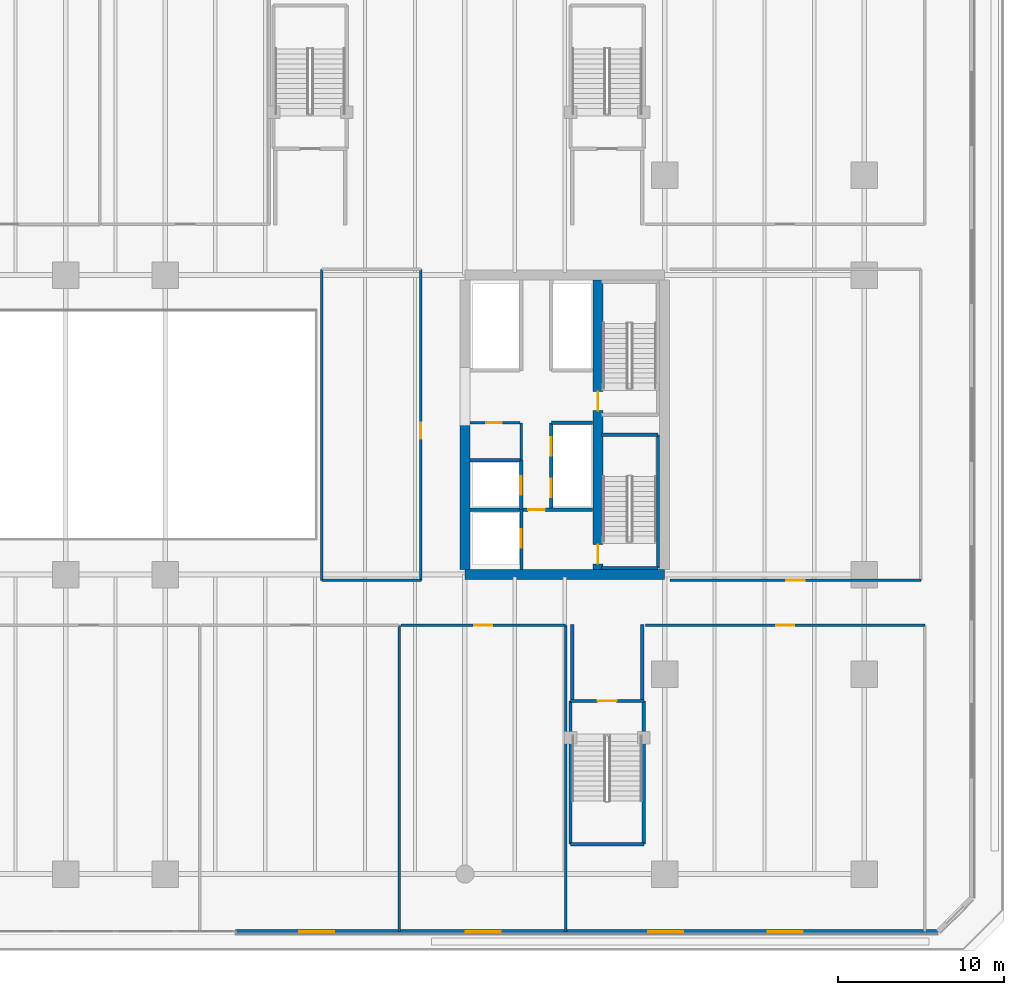
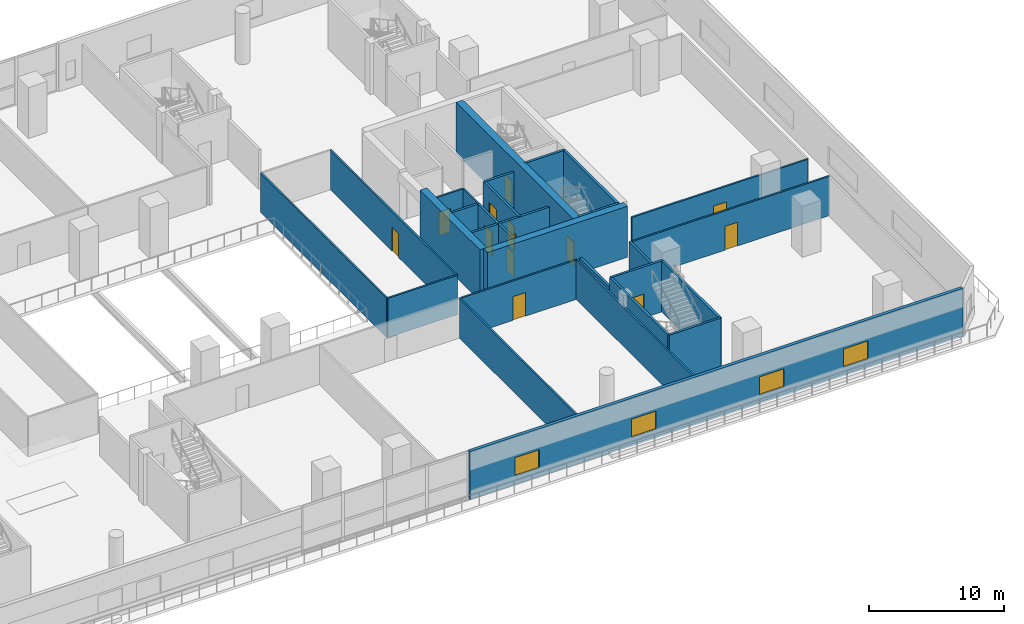
# One storey, part 12 of 27: 29 walls, 13 doors, 4 windows, 17 openings.
"""IFC4 building model written with IfcOpenShell, lengths in metres."""

import ifcopenshell
import ifcopenshell.guid

model = None  # the IFC model being written
_history = None  # IfcOwnerHistory: only IFC2X3 demands one
_inside = {}  # id of a spatial element -> (the spatial element, [elements in it])
_under = {}  # id of a project, library or spatial element -> (it, [spatial elements below it])
_declared = {}  # id of a project -> (the project, [libraries it declares])
_typed = {}  # id of a type object -> (the type object, [elements of that type])
_made_of = {}  # id of a material, layer set ... -> (it, [elements and type objects made of it])


def new_model(schema):
    """Start an empty IFC model of exactly this schema.

    Asked for "IFC4X3", IfcOpenShell would pick the latest addendum, in which some entities
    have other attributes; the version numbers below select the first issue.
    IFC2X3 requires an IfcOwnerHistory on every rooted entity: one is made here for all.
    """
    global model, _history
    if schema == "IFC4X3":
        model = ifcopenshell.file(schema_version=(4, 3, 0, 0))
    else:
        model = ifcopenshell.file(schema=schema)
    _inside.clear()
    _under.clear()
    _declared.clear()
    _typed.clear()
    _made_of.clear()
    _history = None
    if model.schema == "IFC2X3":
        org = make("IfcOrganization", Name="unknown")
        user = make(
            "IfcPersonAndOrganization",
            ThePerson=make("IfcPerson", FamilyName="unknown"),
            TheOrganization=org,
        )
        app = make(
            "IfcApplication",
            ApplicationDeveloper=org,
            Version="unknown",
            ApplicationFullName="unknown",
            ApplicationIdentifier="unknown",
        )
        _history = make(
            "IfcOwnerHistory",
            OwningUser=user,
            OwningApplication=app,
            ChangeAction="ADDED",
            CreationDate=0,
        )
    return model


def make(cls, **values):
    """One entity of the class cls with the attributes given. An attribute that is None is left unset."""
    return model.create_entity(
        cls, **{name: value for name, value in values.items() if value is not None}
    )


def rooted(cls, **values):
    """An entity with a GlobalId (a new one), such as an element, a storey or a relation."""
    return make(cls, GlobalId=ifcopenshell.guid.new(), OwnerHistory=_history, **values)


def si_unit(unit_type, name, prefix=None):
    """IfcSIUnit, for example si_unit("LENGTHUNIT", "METRE", prefix="MILLI")."""
    return make("IfcSIUnit", UnitType=unit_type, Prefix=prefix, Name=name)


def assignment(units):
    """IfcUnitAssignment: the units of a project."""
    return None if units is None else make("IfcUnitAssignment", Units=units)


def point(xyz):
    """IfcCartesianPoint."""
    return None if xyz is None else make("IfcCartesianPoint", Coordinates=xyz)


def direction(xyz):
    """IfcDirection."""
    return None if xyz is None else make("IfcDirection", DirectionRatios=xyz)


def frame(location, z_axis=None, x_axis=None):
    """IfcAxis2Placement3D, a coordinate frame: its origin and axes. An axis left out is left unset."""
    return make(
        "IfcAxis2Placement3D",
        Location=point(location),
        Axis=direction(z_axis),
        RefDirection=direction(x_axis),
    )


def frame_2d(location, x_axis=None):
    """IfcAxis2Placement2D, a coordinate frame in the plane: its origin and x axis."""
    return make(
        "IfcAxis2Placement2D", Location=point(location), RefDirection=direction(x_axis)
    )


def origin():
    """The frame at (0, 0, 0) with its axes left unset."""
    return frame((0.0, 0.0, 0.0))


def place(relative_to, where):
    """IfcLocalPlacement: puts the frame where relative to a parent placement (None: the world)."""
    return make(
        "IfcLocalPlacement", PlacementRelTo=relative_to, RelativePlacement=where
    )


def context(
    kind, dimensions, precision=None, world=None, true_north=None, identifier=None
):
    """IfcGeometricRepresentationContext, for example the 3D "Model" context."""
    return make(
        "IfcGeometricRepresentationContext",
        ContextIdentifier=identifier,
        ContextType=kind,
        CoordinateSpaceDimension=dimensions,
        Precision=precision,
        WorldCoordinateSystem=world,
        TrueNorth=true_north,
    )


def subcontext(parent, identifier, kind, view, scale=None):
    """IfcGeometricRepresentationSubContext, for example "Body" below "Model"."""
    return make(
        "IfcGeometricRepresentationSubContext",
        ContextIdentifier=identifier,
        ContextType=kind,
        ParentContext=parent,
        TargetScale=scale,
        TargetView=view,
    )


def project(units=None, contexts=None):
    """IfcProject with its units and contexts."""
    return rooted(
        "IfcProject",
        Name="project",
        RepresentationContexts=contexts,
        UnitsInContext=assignment(units),
    )


def spatial(cls, under=None, at=None, **own):
    """A site, building, storey or space (cls), placed at a placement, below another one or the project."""
    s = rooted(cls, ObjectPlacement=at, **own)
    if under is not None:
        _under.setdefault(under.id(), (under, []))[1].append(s)
    return s


def profile(cls, at=None, kind="AREA", **sizes):
    """A parametric profile (cls). Its sizes go by their IFC names, for example OverallWidth=200.0."""
    return make(cls, ProfileType=kind, Position=at, **sizes)


def rectangle(**sizes):
    """IfcRectangleProfileDef."""
    return profile("IfcRectangleProfileDef", **sizes)


def extrude(swept, where, along, depth):
    """IfcExtrudedAreaSolid: the profile swept, set in the frame where, extruded along a direction by depth."""
    return make(
        "IfcExtrudedAreaSolid",
        SweptArea=swept,
        Position=where,
        ExtrudedDirection=direction(along),
        Depth=depth,
    )


def shape(context_of_items, identifier, shape_type, items):
    """IfcShapeRepresentation: the items that make up one representation, for example the "Body"."""
    return make(
        "IfcShapeRepresentation",
        ContextOfItems=context_of_items,
        RepresentationIdentifier=identifier,
        RepresentationType=shape_type,
        Items=items,
    )


def material(Name=None, Category=None):
    """IfcMaterial."""
    return make("IfcMaterial", Name=Name, Category=Category)


def layer(
    of_material, thickness, ventilated=None, Name=None, Category=None, Priority=None
):
    """IfcMaterialLayer: one layer of a wall or slab, of a material (None: an air gap)."""
    return make(
        "IfcMaterialLayer",
        Material=of_material,
        LayerThickness=thickness,
        IsVentilated=ventilated,
        Name=Name,
        Category=Category,
        Priority=Priority,
    )


def layer_set(layers, Name=None):
    """IfcMaterialLayerSet."""
    return make("IfcMaterialLayerSet", MaterialLayers=layers, LayerSetName=Name)


def made_of(thing, what):
    """Note that an element or type object is made of a material, layer set ...; save() writes the relation."""
    if what is not None:
        _made_of.setdefault(what.id(), (what, []))[1].append(thing)
    return thing


def type_object(cls, material=None, **own):
    """A type object (cls), such as IfcWallType, which elements share."""
    return made_of(rooted(cls, **own), material)


def element(
    cls,
    number,
    at=None,
    inside=None,
    cuts=None,
    type_object=None,
    material=None,
    context=None,
    identifier="Body",
    shape_type=None,
    held_by="IfcProductDefinitionShape",
    body=None,
    shapes=None,
    **own,
):
    """One element of the class cls, such as IfcWall. Its Tag is "e" and its number.

    at: its placement. inside: the storey or other place that contains it. cuts: it is an
    opening in that element (IfcRelVoidsElement). A single representation is given by context,
    identifier, shape_type and body (its items); several are given by shapes. held_by: the class
    of the entity that holds the representations. save() writes the other relations.
    """
    e = rooted(cls, Tag="e%d" % number, ObjectPlacement=at, **own)
    if body is not None:
        shapes = [shape(context, identifier, shape_type, body)]
    if shapes is not None:
        e.Representation = make(held_by, Representations=shapes)
    if inside is not None:
        _inside.setdefault(inside.id(), (inside, []))[1].append(e)
    if cuts is not None:
        rooted(
            "IfcRelVoidsElement", RelatingBuildingElement=cuts, RelatedOpeningElement=e
        )
    if type_object is not None:
        _typed.setdefault(type_object.id(), (type_object, []))[1].append(e)
    return made_of(e, material)


def fill(opening, filler):
    """IfcRelFillsElement: the door or window that sits in an opening."""
    return rooted(
        "IfcRelFillsElement",
        RelatingOpeningElement=opening,
        RelatedBuildingElement=filler,
    )


def aggregate(whole, parts):
    """IfcRelAggregates: a whole, such as a stair, and the parts it consists of."""
    return rooted("IfcRelAggregates", RelatingObject=whole, RelatedObjects=parts)


def save(model, path):
    """Write the relations noted so far, then the file.

    IfcRelAggregates (storeys below a building ...), IfcRelContainedInSpatialStructure (elements
    in a storey), IfcRelDefinesByType, IfcRelAssociatesMaterial and IfcRelDeclares: one each for
    every whole, place, type object, material and project.
    """
    for whole, parts in _under.values():
        aggregate(whole, parts)
    for where, things in _inside.values():
        rooted(
            "IfcRelContainedInSpatialStructure",
            RelatedElements=things,
            RelatingStructure=where,
        )
    for kind, things in _typed.values():
        rooted("IfcRelDefinesByType", RelatedObjects=things, RelatingType=kind)
    for what, things in _made_of.values():
        rooted("IfcRelAssociatesMaterial", RelatedObjects=things, RelatingMaterial=what)
    for by, libraries in _declared.values():
        rooted("IfcRelDeclares", RelatingContext=by, RelatedDefinitions=libraries)
    model.write(path)


model = new_model("IFC4")

# Units and contexts
model_context = context("Model", 3, precision=1e-05, world=origin(), true_north=direction((0.0, 1.0)))
body_context = subcontext(model_context, "Body", "Model", "MODEL_VIEW")
ifc_project = project(units=[si_unit("LENGTHUNIT", "METRE"), si_unit("AREAUNIT", "SQUARE_METRE"), si_unit("VOLUMEUNIT", "CUBIC_METRE"), si_unit("PLANEANGLEUNIT", "RADIAN"), si_unit("MASSUNIT", "GRAM", prefix="KILO")], contexts=[model_context])

# Site, building, storey
site_placement = place(None, origin())
site = spatial("IfcSite", under=ifc_project, at=site_placement, CompositionType="ELEMENT")
building_placement = place(site_placement, origin())
building = spatial("IfcBuilding", under=site, at=building_placement, Name="Tanjung Sevakor Pilgrim Tower", CompositionType="ELEMENT")
storey_placement = place(building_placement, frame((0.0, 0.0, 14.85009765625)))
storey = spatial("IfcBuildingStorey", under=building, at=storey_placement, Name="L04", CompositionType="ELEMENT", Elevation=14.85009765625)

# Walls
ifc_material_1 = material(Name="Concrete C60/75", Category="concrete")
ifc_layer_1 = layer(ifc_material_1, 0.60009765625)
ifc_layer_set_1 = layer_set([ifc_layer_1], Name="WALL-CW-600")
wall_type_1 = type_object("IfcWallType", Name="WALL-CW-600", PredefinedType="SHEAR", material=ifc_layer_set_1)
wall_1_placement = place(storey_placement, frame((78.0, 24.60009765625, 0.0), z_axis=(0.0, 0.0, 1.0), x_axis=(1.0, 0.0, 0.0)))
element("IfcWall", 1, at=wall_1_placement, inside=storey, type_object=wall_type_1, Name="L04 E Core South Shear Wall", PredefinedType="SHEAR", context=body_context, shape_type="SweptSolid", body=[
    extrude(rectangle(XDim=12.0, YDim=0.60009765625, at=frame_2d((6.0, 0.0))), origin(), (0.0, 0.0, 1.0), 4.619873046875),
])
wall_2_placement = place(storey_placement, frame((78.0, 24.89990234375, 0.0), z_axis=(0.0, 0.0, 1.0), x_axis=(0.0, 1.0, 0.0)))
element("IfcWall", 2, at=wall_2_placement, inside=storey, type_object=wall_type_1, Name="L04 E Core Inner Shear Wall South", PredefinedType="SHEAR", context=body_context, shape_type="SweptSolid", body=[
    extrude(rectangle(XDim=8.900146484375, YDim=0.60009765625, at=frame_2d((4.4501953125, 0.0))), origin(), (0.0, 0.0, 1.0), 4.619873046875),
])

# Wall, openings, doors
wall_3_placement = place(storey_placement, frame((86.0, 24.89990234375, 0.0), z_axis=(0.0, 0.0, 1.0), x_axis=(0.0, 1.0, 0.0)))
wall_3 = element("IfcWall", 3, at=wall_3_placement, inside=storey, type_object=wall_type_1, Name="L04 E Core Stair Spine Wall", PredefinedType="SHEAR", context=body_context, shape_type="SweptSolid", body=[
    extrude(rectangle(XDim=17.400146484375, YDim=0.60009765625, at=frame_2d((8.7001953125, 0.0))), origin(), (0.0, 0.0, 1.0), 4.619873046875),
])
opening_1_placement = place(wall_3_placement, frame((0.35009765625, 0.0, 0.0)))
opening_1 = element("IfcOpeningElement", 4, at=opening_1_placement, cuts=wall_3, Name="Opening ID-ST1", PredefinedType="OPENING", context=body_context, shape_type="SweptSolid", body=[
    extrude(rectangle(XDim=1.14990234375, YDim=2.14990234375, at=frame_2d((0.574951171875, 1.074951171875))), frame((0.0, 0.31005859375, 0.0), z_axis=(0.0, -1.0, 0.0), x_axis=(1.0, 0.0, 0.0)), (0.0, 0.0, 1.0), 0.6201171875),
])
opening_2_placement = place(wall_3_placement, frame((9.550048828125, 0.0, 0.0)))
opening_2 = element("IfcOpeningElement", 5, at=opening_2_placement, cuts=wall_3, Name="Opening ID-ST1", PredefinedType="OPENING", context=body_context, shape_type="SweptSolid", body=[
    extrude(rectangle(XDim=1.14990234375, YDim=2.14990234375, at=frame_2d((0.574951171875, 1.074951171875))), frame((0.0, 0.31005859375, 0.0), z_axis=(0.0, -1.0, 0.0), x_axis=(1.0, 0.0, 0.0)), (0.0, 0.0, 1.0), 0.6201171875),
])
ifc_material_2 = material(Name="Fire-Rated Steel S355J2", Category="steel")
door_type_1 = type_object("IfcDoorType", Name="DT-FIRE-1150", OperationType="NOTDEFINED", PredefinedType="DOOR", material=ifc_material_2)
door_1_placement = place(opening_1_placement, origin())
door_1 = element("IfcDoor", 6, at=door_1_placement, inside=storey, type_object=door_type_1, Name="L04 TS-E1 Stair Fire Door", OperationType="SINGLE_SWING_RIGHT", OverallHeight=2.14990234375, OverallWidth=1.14990234375, PredefinedType="DOOR", context=body_context, shape_type="SweptSolid", body=[
    extrude(rectangle(XDim=1.14990234375, YDim=2.14990234375, at=frame_2d((0.574951171875, 1.074951171875))), frame((0.0, 0.02490234375, 0.0), z_axis=(0.0, -1.0, 0.0), x_axis=(1.0, 0.0, 0.0)), (0.0, 0.0, 1.0), 0.050048828125),
])
fill(opening_1, door_1)
door_2_placement = place(opening_2_placement, origin())
door_2 = element("IfcDoor", 7, at=door_2_placement, inside=storey, type_object=door_type_1, Name="L04 TS-E2 Stair Fire Door", OperationType="SINGLE_SWING_LEFT", OverallHeight=2.14990234375, OverallWidth=1.14990234375, PredefinedType="DOOR", context=body_context, shape_type="SweptSolid", body=[
    extrude(rectangle(XDim=1.14990234375, YDim=2.14990234375, at=frame_2d((0.574951171875, 1.074951171875))), frame((0.0, 0.02490234375, 0.0), z_axis=(0.0, -1.0, 0.0), x_axis=(1.0, 0.0, 0.0)), (0.0, 0.0, 1.0), 0.050048828125),
])
fill(opening_2, door_2)

# Wall
ifc_material_3 = material(Name="Concrete C40/50", Category="concrete")
ifc_layer_2 = layer(ifc_material_3, 0.14990234375)
ifc_layer_set_2 = layer_set([ifc_layer_2], Name="WT-COMP-150")
wall_type_2 = type_object("IfcWallType", Name="WT-COMP-150", PredefinedType="SOLIDWALL", material=ifc_layer_set_2)
wall_4_placement = place(storey_placement, frame((81.3798828125, 31.47998046875, 0.0), z_axis=(0.0, 0.0, 1.0), x_axis=(0.0, 1.0, 0.0)))
element("IfcWall", 8, at=wall_4_placement, inside=storey, type_object=wall_type_2, Name="L04 Partition IW-L04-019", PredefinedType="SOLIDWALL", context=body_context, shape_type="SweptSolid", body=[
    extrude(rectangle(XDim=2.239990234375, YDim=0.14990234375, at=frame_2d((1.1201171875, 0.0))), origin(), (0.0, 0.0, 1.0), 3.56005859375),
])

# Wall, opening, door
wall_5_placement = place(storey_placement, frame((78.320068359375, 33.719970703125, 0.0), z_axis=(0.0, 0.0, 1.0), x_axis=(1.0, 0.0, 0.0)))
wall_5 = element("IfcWall", 9, at=wall_5_placement, inside=storey, type_object=wall_type_2, Name="L04 Partition IW-L04-020", PredefinedType="SOLIDWALL", context=body_context, shape_type="SweptSolid", body=[
    extrude(rectangle(XDim=3.0, YDim=0.14990234375, at=frame_2d((1.5, 0.0))), origin(), (0.0, 0.0, 1.0), 3.56005859375),
])
opening_3_placement = place(wall_5_placement, frame((0.949951171875, 0.0, 0.0)))
opening_3 = element("IfcOpeningElement", 10, at=opening_3_placement, cuts=wall_5, Name="Opening ID-FD2", PredefinedType="OPENING", context=body_context, shape_type="SweptSolid", body=[
    extrude(rectangle(XDim=0.949951171875, YDim=2.14990234375, at=frame_2d((0.47509765625, 1.074951171875))), frame((0.0, 0.0849609375, 0.0), z_axis=(0.0, -1.0, 0.0), x_axis=(1.0, 0.0, 0.0)), (0.0, 0.0, 1.0), 0.169921875),
])
ifc_material_4 = material(Name="Fire-Rated Timber", Category="wood")
door_type_2 = type_object("IfcDoorType", Name="DT-FIRE-950", OperationType="NOTDEFINED", PredefinedType="DOOR", material=ifc_material_4)
door_3_placement = place(opening_3_placement, origin())
door_3 = element("IfcDoor", 11, at=door_3_placement, inside=storey, type_object=door_type_2, Name="L04 Accessible WC Door", OperationType="SINGLE_SWING_LEFT", OverallHeight=2.14990234375, OverallWidth=0.949951171875, PredefinedType="DOOR", context=body_context, shape_type="SweptSolid", body=[
    extrude(rectangle(XDim=0.949951171875, YDim=2.14990234375, at=frame_2d((0.47509765625, 1.074951171875))), frame((0.0, 0.02490234375, 0.0), z_axis=(0.0, -1.0, 0.0), x_axis=(1.0, 0.0, 0.0)), (0.0, 0.0, 1.0), 0.050048828125),
])
fill(opening_3, door_3)

# Wall
wall_6_placement = place(storey_placement, frame((74.050048828125, 3.139892578125, 0.0), z_axis=(0.0, 0.0, 1.0), x_axis=(0.0, 1.0, 0.0)))
element("IfcWall", 12, at=wall_6_placement, inside=storey, type_object=wall_type_2, Name="L04 Partition IW-L04-044", PredefinedType="SOLIDWALL", context=body_context, shape_type="SweptSolid", body=[
    extrude(rectangle(XDim=18.41015625, YDim=0.14990234375, at=frame_2d((9.205078125, 0.0))), origin(), (0.0, 0.0, 1.0), 3.56005859375),
])

# Wall, opening, door
wall_7_placement = place(storey_placement, frame((74.14990234375, 21.550048828125, 0.0), z_axis=(0.0, 0.0, 1.0), x_axis=(1.0, 0.0, 0.0)))
wall_7 = element("IfcWall", 13, at=wall_7_placement, inside=storey, type_object=wall_type_2, Name="L04 Partition IW-L04-045", PredefinedType="SOLIDWALL", context=body_context, shape_type="SweptSolid", body=[
    extrude(rectangle(XDim=9.900146484375, YDim=0.14990234375, at=frame_2d((4.9501953125, 0.0))), origin(), (0.0, 0.0, 1.0), 3.56005859375),
])
opening_4_placement = place(wall_7_placement, frame((4.39990234375, 0.0, 0.0)))
opening_4 = element("IfcOpeningElement", 14, at=opening_4_placement, cuts=wall_7, Name="Opening ID-RM2", PredefinedType="OPENING", context=body_context, shape_type="SweptSolid", body=[
    extrude(rectangle(XDim=1.10009765625, YDim=2.14990234375, at=frame_2d((0.550048828125, 1.074951171875))), frame((0.0, 0.0849609375, 0.0), z_axis=(0.0, -1.0, 0.0), x_axis=(1.0, 0.0, 0.0)), (0.0, 0.0, 1.0), 0.169921875),
])
ifc_material_5 = material(Name="Hardwood Timber", Category="wood")
door_type_3 = type_object("IfcDoorType", Name="DT-INT-1100", OperationType="NOTDEFINED", PredefinedType="DOOR", material=ifc_material_5)
door_4_placement = place(opening_4_placement, origin())
door_4 = element("IfcDoor", 15, at=door_4_placement, inside=storey, type_object=door_type_3, Name="L04 South Gallery Door 4", OperationType="SINGLE_SWING_LEFT", OverallHeight=2.14990234375, OverallWidth=1.10009765625, PredefinedType="DOOR", context=body_context, shape_type="SweptSolid", body=[
    extrude(rectangle(XDim=1.10009765625, YDim=2.14990234375, at=frame_2d((0.550048828125, 1.074951171875))), frame((0.0, 0.02490234375, 0.0), z_axis=(0.0, -1.0, 0.0), x_axis=(1.0, 0.0, 0.0)), (0.0, 0.0, 1.0), 0.050048828125),
])
fill(opening_4, door_4)

# Wall
wall_8_placement = place(storey_placement, frame((84.050048828125, 3.139892578125, 0.0), z_axis=(0.0, 0.0, 1.0), x_axis=(0.0, 1.0, 0.0)))
element("IfcWall", 16, at=wall_8_placement, inside=storey, type_object=wall_type_2, Name="L04 Partition IW-L04-046", PredefinedType="SOLIDWALL", context=body_context, shape_type="SweptSolid", body=[
    extrude(rectangle(XDim=18.41015625, YDim=0.14990234375, at=frame_2d((9.205078125, 0.0))), origin(), (0.0, 0.0, 1.0), 3.56005859375),
])

# Wall, opening, door
wall_9_placement = place(storey_placement, frame((88.85009765625, 21.550048828125, 0.0), z_axis=(0.0, 0.0, 1.0), x_axis=(1.0, 0.0, 0.0)))
wall_9 = element("IfcWall", 17, at=wall_9_placement, inside=storey, type_object=wall_type_2, Name="L04 Partition IW-L04-047", PredefinedType="SOLIDWALL", context=body_context, shape_type="SweptSolid", body=[
    extrude(rectangle(XDim=16.7998046875, YDim=0.14990234375, at=frame_2d((8.39990234375, 0.0))), origin(), (0.0, 0.0, 1.0), 3.56005859375),
])
opening_5_placement = place(wall_9_placement, frame((7.85009765625, 0.0, 0.0)))
opening_5 = element("IfcOpeningElement", 18, at=opening_5_placement, cuts=wall_9, Name="Opening ID-RM2", PredefinedType="OPENING", context=body_context, shape_type="SweptSolid", body=[
    extrude(rectangle(XDim=1.10009765625, YDim=2.14990234375, at=frame_2d((0.550048828125, 1.074951171875))), frame((0.0, 0.0849609375, 0.0), z_axis=(0.0, -1.0, 0.0), x_axis=(1.0, 0.0, 0.0)), (0.0, 0.0, 1.0), 0.169921875),
])
door_5_placement = place(opening_5_placement, origin())
door_5 = element("IfcDoor", 19, at=door_5_placement, inside=storey, type_object=door_type_3, Name="L04 South Gallery Door 5", OperationType="SINGLE_SWING_RIGHT", OverallHeight=2.14990234375, OverallWidth=1.10009765625, PredefinedType="DOOR", context=body_context, shape_type="SweptSolid", body=[
    extrude(rectangle(XDim=1.10009765625, YDim=2.14990234375, at=frame_2d((0.550048828125, 1.074951171875))), frame((0.0, 0.02490234375, 0.0), z_axis=(0.0, -1.0, 0.0), x_axis=(1.0, 0.0, 0.0)), (0.0, 0.0, 1.0), 0.050048828125),
])
fill(opening_5, door_5)

# Walls
wall_10_placement = place(storey_placement, frame((69.39990234375, 24.25, 0.0), z_axis=(0.0, 0.0, 1.0), x_axis=(1.0, 0.0, 0.0)))
element("IfcWall", 20, at=wall_10_placement, inside=storey, type_object=wall_type_2, Name="L04 Partition IW-L04-065", PredefinedType="SOLIDWALL", context=body_context, shape_type="SweptSolid", body=[
    extrude(rectangle(XDim=5.9501953125, YDim=0.14990234375, at=frame_2d((2.97509765625, 0.0))), origin(), (0.0, 0.0, 1.0), 3.56005859375),
])
wall_11_placement = place(storey_placement, frame((69.39990234375, 24.25, 0.0), z_axis=(0.0, 0.0, 1.0), x_axis=(0.0, 1.0, 0.0)))
element("IfcWall", 21, at=wall_11_placement, inside=storey, type_object=wall_type_2, Name="L04 Partition IW-L04-067", PredefinedType="SOLIDWALL", context=body_context, shape_type="SweptSolid", body=[
    extrude(rectangle(XDim=18.699951171875, YDim=0.14990234375, at=frame_2d((9.35009765625, 0.0))), origin(), (0.0, 0.0, 1.0), 3.56005859375),
])

# Wall, opening, door
wall_12_placement = place(storey_placement, frame((75.35009765625, 24.25, 0.0), z_axis=(0.0, 0.0, 1.0), x_axis=(0.0, 1.0, 0.0)))
wall_12 = element("IfcWall", 22, at=wall_12_placement, inside=storey, type_object=wall_type_2, Name="L04 Partition IW-L04-068", PredefinedType="SOLIDWALL", context=body_context, shape_type="SweptSolid", body=[
    extrude(rectangle(XDim=18.699951171875, YDim=0.14990234375, at=frame_2d((9.35009765625, 0.0))), origin(), (0.0, 0.0, 1.0), 3.56005859375),
])
opening_6_placement = place(wall_12_placement, frame((8.52490234375, 0.0, 0.0)))
opening_6 = element("IfcOpeningElement", 23, at=opening_6_placement, cuts=wall_12, Name="Opening ID-RM1", PredefinedType="OPENING", context=body_context, shape_type="SweptSolid", body=[
    extrude(rectangle(XDim=0.949951171875, YDim=2.14990234375, at=frame_2d((0.47509765625, 1.074951171875))), frame((0.0, 0.0849609375, 0.0), z_axis=(0.0, -1.0, 0.0), x_axis=(1.0, 0.0, 0.0)), (0.0, 0.0, 1.0), 0.169921875),
])
ifc_material_6 = material(Name="Hardwood Timber", Category="wood")
door_type_4 = type_object("IfcDoorType", Name="DT-INT-950", OperationType="NOTDEFINED", PredefinedType="DOOR", material=ifc_material_6)
door_6_placement = place(opening_6_placement, origin())
door_6 = element("IfcDoor", 24, at=door_6_placement, inside=storey, type_object=door_type_4, Name="L04 Atrium East Study Door", OperationType="SINGLE_SWING_LEFT", OverallHeight=2.14990234375, OverallWidth=0.949951171875, PredefinedType="DOOR", context=body_context, shape_type="SweptSolid", body=[
    extrude(rectangle(XDim=0.949951171875, YDim=2.14990234375, at=frame_2d((0.47509765625, 1.074951171875))), frame((0.0, 0.02490234375, 0.0), z_axis=(0.0, -1.0, 0.0), x_axis=(1.0, 0.0, 0.0)), (0.0, 0.0, 1.0), 0.050048828125),
])
fill(opening_6, door_6)

wall_13_placement = place(storey_placement, frame((90.320068359375, 24.25, 0.0), z_axis=(0.0, 0.0, 1.0), x_axis=(1.0, 0.0, 0.0)))
wall_13 = element("IfcWall", 25, at=wall_13_placement, inside=storey, type_object=wall_type_2, Name="L04 Partition IW-L04-072", PredefinedType="SOLIDWALL", context=body_context, shape_type="SweptSolid", body=[
    extrude(rectangle(XDim=15.079833984375, YDim=0.14990234375, at=frame_2d((7.5400390625, 0.0))), origin(), (0.0, 0.0, 1.0), 3.56005859375),
])
opening_7_placement = place(wall_13_placement, frame((6.989990234375, 0.0, 0.0)))
opening_7 = element("IfcOpeningElement", 26, at=opening_7_placement, cuts=wall_13, Name="Opening ID-RM2", PredefinedType="OPENING", context=body_context, shape_type="SweptSolid", body=[
    extrude(rectangle(XDim=1.10009765625, YDim=2.14990234375, at=frame_2d((0.550048828125, 1.074951171875))), frame((0.0, 0.0849609375, 0.0), z_axis=(0.0, -1.0, 0.0), x_axis=(1.0, 0.0, 0.0)), (0.0, 0.0, 1.0), 0.169921875),
])
door_7_placement = place(opening_7_placement, origin())
door_7 = element("IfcDoor", 27, at=door_7_placement, inside=storey, type_object=door_type_3, Name="L04 East Reading Door", OperationType="SINGLE_SWING_LEFT", OverallHeight=2.14990234375, OverallWidth=1.10009765625, PredefinedType="DOOR", context=body_context, shape_type="SweptSolid", body=[
    extrude(rectangle(XDim=1.10009765625, YDim=2.14990234375, at=frame_2d((0.550048828125, 1.074951171875))), frame((0.0, 0.02490234375, 0.0), z_axis=(0.0, -1.0, 0.0), x_axis=(1.0, 0.0, 0.0)), (0.0, 0.0, 1.0), 0.050048828125),
])
fill(opening_7, door_7)

# Wall, openings, windows
ifc_material_7 = material(Name="Precast concrete C45/55", Category="concrete")
ifc_layer_3 = layer(ifc_material_7, 0.280029296875)
ifc_layer_set_3 = layer_set([ifc_layer_3], Name="WT-EW-STN2")
wall_type_3 = type_object("IfcWallType", Name="WT-EW-STN2", PredefinedType="SOLIDWALL", material=ifc_layer_set_3)
wall_14_placement = place(storey_placement, frame((64.199951171875, 3.139892578125, 0.0), z_axis=(0.0, 0.0, 1.0), x_axis=(1.0, 0.0, 0.0)))
wall_14 = element("IfcWall", 28, at=wall_14_placement, inside=storey, type_object=wall_type_3, Name="L04 Cascading Podium Limestone Wall S2", PredefinedType="SOLIDWALL", context=body_context, shape_type="SweptSolid", body=[
    extrude(rectangle(XDim=42.241943359375, YDim=0.280029296875, at=frame_2d((21.12109375, 0.0))), origin(), (0.0, 0.0, 1.0), 4.340087890625),
])
opening_8_placement = place(wall_14_placement, frame((3.85009765625, 0.0, 0.780029296875)))
opening_8 = element("IfcOpeningElement", 29, at=opening_8_placement, cuts=wall_14, Name="Opening WN-P2-1660", PredefinedType="OPENING", context=body_context, shape_type="SweptSolid", body=[
    extrude(rectangle(XDim=2.10009765625, YDim=1.659912109375, at=frame_2d((1.050048828125, 0.830078125))), frame((0.0, 0.14990234375, 0.0), z_axis=(0.0, -1.0, 0.0), x_axis=(1.0, 0.0, 0.0)), (0.0, 0.0, 1.0), 0.300048828125),
])
opening_9_placement = place(wall_14_placement, frame((13.85009765625, 0.0, 0.780029296875)))
opening_9 = element("IfcOpeningElement", 30, at=opening_9_placement, cuts=wall_14, Name="Opening WN-P2-1660", PredefinedType="OPENING", context=body_context, shape_type="SweptSolid", body=[
    extrude(rectangle(XDim=2.10009765625, YDim=1.659912109375, at=frame_2d((1.050048828125, 0.830078125))), frame((0.0, 0.14990234375, 0.0), z_axis=(0.0, -1.0, 0.0), x_axis=(1.0, 0.0, 0.0)), (0.0, 0.0, 1.0), 0.300048828125),
])
opening_10_placement = place(wall_14_placement, frame((32.0, 0.0, 0.780029296875)))
opening_10 = element("IfcOpeningElement", 31, at=opening_10_placement, cuts=wall_14, Name="Opening WN-P2-1660", PredefinedType="OPENING", context=body_context, shape_type="SweptSolid", body=[
    extrude(rectangle(XDim=2.10009765625, YDim=1.659912109375, at=frame_2d((1.050048828125, 0.830078125))), frame((0.0, 0.14990234375, 0.0), z_axis=(0.0, -1.0, 0.0), x_axis=(1.0, 0.0, 0.0)), (0.0, 0.0, 1.0), 0.300048828125),
])
opening_11_placement = place(wall_14_placement, frame((24.821044921875, 0.0, 0.780029296875)))
opening_11 = element("IfcOpeningElement", 32, at=opening_11_placement, cuts=wall_14, Name="Opening WN-P2-1660", PredefinedType="OPENING", context=body_context, shape_type="SweptSolid", body=[
    extrude(rectangle(XDim=2.10009765625, YDim=1.659912109375, at=frame_2d((1.050048828125, 0.830078125))), frame((0.0, 0.14990234375, 0.0), z_axis=(0.0, -1.0, 0.0), x_axis=(1.0, 0.0, 0.0)), (0.0, 0.0, 1.0), 0.300048828125),
])
ifc_material_8 = material(Name="Thermally Broken Aluminium and Low-E Glass", Category="aluminium")
window_type = type_object("IfcWindowType", Name="WTYP-WN-P2-1660", PartitioningType="DOUBLE_PANEL_VERTICAL", PredefinedType="WINDOW", material=ifc_material_8)
window_1_placement = place(opening_8_placement, origin())
window_1 = element("IfcWindow", 33, at=window_1_placement, inside=storey, type_object=window_type, Name="L04 Facade Window 01", OverallHeight=1.659912109375, OverallWidth=2.10009765625, PartitioningType="SINGLE_PANEL", PredefinedType="WINDOW", context=body_context, shape_type="SweptSolid", body=[
    extrude(rectangle(XDim=2.10009765625, YDim=1.659912109375, at=frame_2d((1.050048828125, 0.830078125))), frame((0.0, 0.030029296875, 0.0), z_axis=(0.0, -1.0, 0.0), x_axis=(1.0, 0.0, 0.0)), (0.0, 0.0, 1.0), 0.06005859375),
])
fill(opening_8, window_1)
window_2_placement = place(opening_9_placement, origin())
window_2 = element("IfcWindow", 34, at=window_2_placement, inside=storey, type_object=window_type, Name="L04 Facade Window 02", OverallHeight=1.659912109375, OverallWidth=2.10009765625, PartitioningType="SINGLE_PANEL", PredefinedType="WINDOW", context=body_context, shape_type="SweptSolid", body=[
    extrude(rectangle(XDim=2.10009765625, YDim=1.659912109375, at=frame_2d((1.050048828125, 0.830078125))), frame((0.0, 0.030029296875, 0.0), z_axis=(0.0, -1.0, 0.0), x_axis=(1.0, 0.0, 0.0)), (0.0, 0.0, 1.0), 0.06005859375),
])
fill(opening_9, window_2)
window_3_placement = place(opening_10_placement, origin())
window_3 = element("IfcWindow", 35, at=window_3_placement, inside=storey, type_object=window_type, Name="L04 Facade Window 03", OverallHeight=1.659912109375, OverallWidth=2.10009765625, PartitioningType="SINGLE_PANEL", PredefinedType="WINDOW", context=body_context, shape_type="SweptSolid", body=[
    extrude(rectangle(XDim=2.10009765625, YDim=1.659912109375, at=frame_2d((1.050048828125, 0.830078125))), frame((0.0, 0.030029296875, 0.0), z_axis=(0.0, -1.0, 0.0), x_axis=(1.0, 0.0, 0.0)), (0.0, 0.0, 1.0), 0.06005859375),
])
fill(opening_10, window_3)
window_4_placement = place(opening_11_placement, origin())
window_4 = element("IfcWindow", 36, at=window_4_placement, inside=storey, type_object=window_type, Name="L04 Facade Window 04", OverallHeight=1.659912109375, OverallWidth=2.10009765625, PartitioningType="SINGLE_PANEL", PredefinedType="WINDOW", context=body_context, shape_type="SweptSolid", body=[
    extrude(rectangle(XDim=2.10009765625, YDim=1.659912109375, at=frame_2d((1.050048828125, 0.830078125))), frame((0.0, 0.030029296875, 0.0), z_axis=(0.0, -1.0, 0.0), x_axis=(1.0, 0.0, 0.0)), (0.0, 0.0, 1.0), 0.06005859375),
])
fill(opening_11, window_4)

# Walls
ifc_material_9 = material(Name="Concrete C40/50", Category="concrete")
ifc_layer_4 = layer(ifc_material_9, 0.199951171875)
ifc_layer_set_4 = layer_set([ifc_layer_4], Name="WT-FIRE-200")
wall_type_4 = type_object("IfcWallType", Name="WT-FIRE-200", PredefinedType="SOLIDWALL", material=ifc_layer_set_4)
wall_15_placement = place(storey_placement, frame((86.199951171875, 25.0, 0.0), z_axis=(0.0, 0.0, 1.0), x_axis=(1.0, 0.0, 0.0)))
element("IfcWall", 37, at=wall_15_placement, inside=storey, type_object=wall_type_4, Name="L04 TS-E1 Shaft Wall 1", PredefinedType="SOLIDWALL", context=body_context, shape_type="SweptSolid", body=[
    extrude(rectangle(XDim=3.400146484375, YDim=0.199951171875, at=frame_2d((1.7001953125, 0.0))), origin(), (0.0, 0.0, 1.0), 4.619873046875),
])
wall_16_placement = place(storey_placement, frame((89.60009765625, 25.0, 0.0), z_axis=(0.0, 0.0, 1.0), x_axis=(0.0, 1.0, 0.0)))
element("IfcWall", 38, at=wall_16_placement, inside=storey, type_object=wall_type_4, Name="L04 TS-E1 Shaft Wall 2", PredefinedType="SOLIDWALL", context=body_context, shape_type="SweptSolid", body=[
    extrude(rectangle(XDim=8.0, YDim=0.199951171875, at=frame_2d((4.0, 0.0))), origin(), (0.0, 0.0, 1.0), 4.619873046875),
])
wall_17_placement = place(storey_placement, frame((89.60009765625, 33.0, 0.0), z_axis=(0.0, 0.0, 1.0), x_axis=(-1.0, 0.0, 0.0)))
element("IfcWall", 39, at=wall_17_placement, inside=storey, type_object=wall_type_4, Name="L04 TS-E1 Shaft Wall 3", PredefinedType="SOLIDWALL", context=body_context, shape_type="SweptSolid", body=[
    extrude(rectangle(XDim=3.400146484375, YDim=0.199951171875, at=frame_2d((1.7001953125, 0.0))), origin(), (0.0, 0.0, 1.0), 4.619873046875),
])
wall_18_placement = place(storey_placement, frame((84.35009765625, 8.39990234375, 0.0), z_axis=(0.0, 0.0, 1.0), x_axis=(1.0, 0.0, 0.0)))
element("IfcWall", 40, at=wall_18_placement, inside=storey, type_object=wall_type_4, Name="L04 PS-5 Shaft Wall 1", PredefinedType="SOLIDWALL", context=body_context, shape_type="SweptSolid", body=[
    extrude(rectangle(XDim=4.39990234375, YDim=0.199951171875, at=frame_2d((2.199951171875, 0.0))), origin(), (0.0, 0.0, 1.0), 4.619873046875),
])
wall_19_placement = place(storey_placement, frame((88.75, 8.39990234375, 0.0), z_axis=(0.0, 0.0, 1.0), x_axis=(0.0, 1.0, 0.0)))
element("IfcWall", 41, at=wall_19_placement, inside=storey, type_object=wall_type_4, Name="L04 PS-5 Shaft Wall 2", PredefinedType="SOLIDWALL", context=body_context, shape_type="SweptSolid", body=[
    extrude(rectangle(XDim=8.60009765625, YDim=0.199951171875, at=frame_2d((4.300048828125, 0.0))), origin(), (0.0, 0.0, 1.0), 4.619873046875),
])

# Wall, opening, door
wall_20_placement = place(storey_placement, frame((88.75, 17.0, 0.0), z_axis=(0.0, 0.0, 1.0), x_axis=(-1.0, 0.0, 0.0)))
wall_20 = element("IfcWall", 42, at=wall_20_placement, inside=storey, type_object=wall_type_4, Name="L04 PS-5 Shaft Wall 3", PredefinedType="SOLIDWALL", context=body_context, shape_type="SweptSolid", body=[
    extrude(rectangle(XDim=4.39990234375, YDim=0.199951171875, at=frame_2d((2.199951171875, 0.0))), origin(), (0.0, 0.0, 1.0), 4.619873046875),
])
opening_12_placement = place(wall_20_placement, frame((1.625, 0.0, 0.0)))
opening_12 = element("IfcOpeningElement", 43, at=opening_12_placement, cuts=wall_20, Name="Opening ID-ST1", PredefinedType="OPENING", context=body_context, shape_type="SweptSolid", body=[
    extrude(rectangle(XDim=1.14990234375, YDim=2.14990234375, at=frame_2d((0.574951171875, 1.074951171875))), frame((0.0, 0.10986328125, 0.0), z_axis=(0.0, -1.0, 0.0), x_axis=(1.0, 0.0, 0.0)), (0.0, 0.0, 1.0), 0.219970703125),
])
door_8_placement = place(opening_12_placement, origin())
door_8 = element("IfcDoor", 44, at=door_8_placement, inside=storey, type_object=door_type_1, Name="L04 PS-5 Stair Entry Fire Door", OperationType="SINGLE_SWING_RIGHT", OverallHeight=2.14990234375, OverallWidth=1.14990234375, PredefinedType="DOOR", context=body_context, shape_type="SweptSolid", body=[
    extrude(rectangle(XDim=1.14990234375, YDim=2.14990234375, at=frame_2d((0.574951171875, 1.074951171875))), frame((0.0, 0.02490234375, 0.0), z_axis=(0.0, -1.0, 0.0), x_axis=(1.0, 0.0, 0.0)), (0.0, 0.0, 1.0), 0.050048828125),
])
fill(opening_12, door_8)

# Wall
wall_21_placement = place(storey_placement, frame((84.35009765625, 17.0, 0.0), z_axis=(0.0, 0.0, 1.0), x_axis=(0.0, -1.0, 0.0)))
element("IfcWall", 45, at=wall_21_placement, inside=storey, type_object=wall_type_4, Name="L04 PS-5 Shaft Wall 4", PredefinedType="SOLIDWALL", context=body_context, shape_type="SweptSolid", body=[
    extrude(rectangle(XDim=8.60009765625, YDim=0.199951171875, at=frame_2d((4.300048828125, 0.0))), origin(), (0.0, 0.0, 1.0), 4.619873046875),
])

# Wall, opening, door
ifc_material_10 = material(Name="Concrete C40/50", Category="concrete")
ifc_layer_5 = layer(ifc_material_10, 0.199951171875)
ifc_layer_set_5 = layer_set([ifc_layer_5], Name="WT-FPRT-200")
wall_type_5 = type_object("IfcWallType", Name="WT-FPRT-200", PredefinedType="SOLIDWALL", material=ifc_layer_set_5)
wall_22_placement = place(storey_placement, frame((81.39990234375, 24.919921875, 0.0), z_axis=(0.0, 0.0, 1.0), x_axis=(0.0, 1.0, 0.0)))
wall_22 = element("IfcWall", 46, at=wall_22_placement, inside=storey, type_object=wall_type_5, Name="L04 Partition IW-L04-013", PredefinedType="SOLIDWALL", context=body_context, shape_type="SweptSolid", body=[
    extrude(rectangle(XDim=3.580078125, YDim=0.199951171875, at=frame_2d((1.7900390625, 0.0))), origin(), (0.0, 0.0, 1.0), 3.56005859375),
])
opening_13_placement = place(wall_22_placement, frame((1.300048828125, 0.0, 0.0)))
opening_13 = element("IfcOpeningElement", 47, at=opening_13_placement, cuts=wall_22, Name="Opening LD-1100", PredefinedType="OPENING", context=body_context, shape_type="SweptSolid", body=[
    extrude(rectangle(XDim=1.10009765625, YDim=2.199951171875, at=frame_2d((0.550048828125, 1.10009765625))), frame((0.0, 0.10986328125, 0.0), z_axis=(0.0, -1.0, 0.0), x_axis=(1.0, 0.0, 0.0)), (0.0, 0.0, 1.0), 0.219970703125),
])
ifc_material_11 = material(Name="Brushed Stainless Steel S355J2", Category="steel")
door_type_5 = type_object("IfcDoorType", Name="DT-LIFT-1100", OperationType="SLIDING_TO_LEFT", PredefinedType="DOOR", material=ifc_material_11)
door_9_placement = place(opening_13_placement, origin())
door_9 = element("IfcDoor", 48, at=door_9_placement, inside=storey, type_object=door_type_5, Name="LD-FL-E", OperationType="SLIDING_TO_LEFT", OverallHeight=2.199951171875, OverallWidth=1.10009765625, PredefinedType="DOOR", context=body_context, shape_type="SweptSolid", body=[
    extrude(rectangle(XDim=1.10009765625, YDim=2.199951171875, at=frame_2d((0.550048828125, 1.10009765625))), frame((0.0, 0.02490234375, 0.0), z_axis=(0.0, -1.0, 0.0), x_axis=(1.0, 0.0, 0.0)), (0.0, 0.0, 1.0), 0.050048828125),
])
fill(opening_13, door_9)

wall_23_placement = place(storey_placement, frame((78.320068359375, 28.5, 0.0), z_axis=(0.0, 0.0, 1.0), x_axis=(1.0, 0.0, 0.0)))
wall_23 = element("IfcWall", 49, at=wall_23_placement, inside=storey, type_object=wall_type_5, Name="L04 Partition IW-L04-014", PredefinedType="SOLIDWALL", context=body_context, shape_type="SweptSolid", body=[
    extrude(rectangle(XDim=7.35986328125, YDim=0.199951171875, at=frame_2d((3.679931640625, 0.0))), origin(), (0.0, 0.0, 1.0), 3.56005859375),
])
opening_14_placement = place(wall_23_placement, frame((3.47998046875, 0.0, 0.0)))
opening_14 = element("IfcOpeningElement", 50, at=opening_14_placement, cuts=wall_23, Name="Opening ID-FD1", PredefinedType="OPENING", context=body_context, shape_type="SweptSolid", body=[
    extrude(rectangle(XDim=1.0, YDim=2.14990234375, at=frame_2d((0.5, 1.074951171875))), frame((0.0, 0.10986328125, 0.0), z_axis=(0.0, -1.0, 0.0), x_axis=(1.0, 0.0, 0.0)), (0.0, 0.0, 1.0), 0.219970703125),
])
ifc_material_12 = material(Name="Fire-Rated Steel S355J2", Category="steel")
door_type_6 = type_object("IfcDoorType", Name="DT-FIRE-1000", OperationType="NOTDEFINED", PredefinedType="DOOR", material=ifc_material_12)
door_10_placement = place(opening_14_placement, origin())
door_10 = element("IfcDoor", 51, at=door_10_placement, inside=storey, type_object=door_type_6, Name="Fire Lobby Door E", OperationType="SINGLE_SWING_LEFT", OverallHeight=2.14990234375, OverallWidth=1.0, PredefinedType="DOOR", context=body_context, shape_type="SweptSolid", body=[
    extrude(rectangle(XDim=1.0, YDim=2.14990234375, at=frame_2d((0.5, 1.074951171875))), frame((0.0, 0.02490234375, 0.0), z_axis=(0.0, -1.0, 0.0), x_axis=(1.0, 0.0, 0.0)), (0.0, 0.0, 1.0), 0.050048828125),
])
fill(opening_14, door_10)

# Wall
wall_24_placement = place(storey_placement, frame((83.199951171875, 33.719970703125, 0.0), z_axis=(0.0, 0.0, 1.0), x_axis=(1.0, 0.0, 0.0)))
element("IfcWall", 52, at=wall_24_placement, inside=storey, type_object=wall_type_5, Name="L04 Partition IW-L04-015", PredefinedType="SOLIDWALL", context=body_context, shape_type="SweptSolid", body=[
    extrude(rectangle(XDim=2.47998046875, YDim=0.199951171875, at=frame_2d((1.239990234375, 0.0))), origin(), (0.0, 0.0, 1.0), 3.56005859375),
])

# Wall, openings, doors
wall_25_placement = place(storey_placement, frame((83.179931640625, 28.5, 0.0), z_axis=(0.0, 0.0, 1.0), x_axis=(0.0, 1.0, 0.0)))
wall_25 = element("IfcWall", 53, at=wall_25_placement, inside=storey, type_object=wall_type_5, Name="L04 Partition IW-L04-016", PredefinedType="SOLIDWALL", context=body_context, shape_type="SweptSolid", body=[
    extrude(rectangle(XDim=5.219970703125, YDim=0.199951171875, at=frame_2d((2.60986328125, 0.0))), origin(), (0.0, 0.0, 1.0), 3.56005859375),
])
opening_15_placement = place(wall_25_placement, frame((0.75, 0.0, 0.0)))
opening_15 = element("IfcOpeningElement", 54, at=opening_15_placement, cuts=wall_25, Name="Opening LD-1100", PredefinedType="OPENING", context=body_context, shape_type="SweptSolid", body=[
    extrude(rectangle(XDim=1.10009765625, YDim=2.199951171875, at=frame_2d((0.550048828125, 1.10009765625))), frame((0.0, 0.10986328125, 0.0), z_axis=(0.0, -1.0, 0.0), x_axis=(1.0, 0.0, 0.0)), (0.0, 0.0, 1.0), 0.219970703125),
])
opening_16_placement = place(wall_25_placement, frame((3.25, 0.0, 0.0)))
opening_16 = element("IfcOpeningElement", 55, at=opening_16_placement, cuts=wall_25, Name="Opening LD-1100", PredefinedType="OPENING", context=body_context, shape_type="SweptSolid", body=[
    extrude(rectangle(XDim=1.10009765625, YDim=2.199951171875, at=frame_2d((0.550048828125, 1.10009765625))), frame((0.0, 0.10986328125, 0.0), z_axis=(0.0, -1.0, 0.0), x_axis=(1.0, 0.0, 0.0)), (0.0, 0.0, 1.0), 0.219970703125),
])
door_11_placement = place(opening_15_placement, origin())
door_11 = element("IfcDoor", 56, at=door_11_placement, inside=storey, type_object=door_type_5, Name="LD-PLL1-E", OperationType="SLIDING_TO_LEFT", OverallHeight=2.199951171875, OverallWidth=1.10009765625, PredefinedType="DOOR", context=body_context, shape_type="SweptSolid", body=[
    extrude(rectangle(XDim=1.10009765625, YDim=2.199951171875, at=frame_2d((0.550048828125, 1.10009765625))), frame((0.0, 0.02490234375, 0.0), z_axis=(0.0, -1.0, 0.0), x_axis=(1.0, 0.0, 0.0)), (0.0, 0.0, 1.0), 0.050048828125),
])
fill(opening_15, door_11)
door_12_placement = place(opening_16_placement, origin())
door_12 = element("IfcDoor", 57, at=door_12_placement, inside=storey, type_object=door_type_5, Name="LD-PLL2-E", OperationType="SLIDING_TO_RIGHT", OverallHeight=2.199951171875, OverallWidth=1.10009765625, PredefinedType="DOOR", context=body_context, shape_type="SweptSolid", body=[
    extrude(rectangle(XDim=1.10009765625, YDim=2.199951171875, at=frame_2d((0.550048828125, 1.10009765625))), frame((0.0, 0.02490234375, 0.0), z_axis=(0.0, -1.0, 0.0), x_axis=(1.0, 0.0, 0.0)), (0.0, 0.0, 1.0), 0.050048828125),
])
fill(opening_16, door_12)

# Wall
wall_26_placement = place(storey_placement, frame((78.320068359375, 31.47998046875, 0.0), z_axis=(0.0, 0.0, 1.0), x_axis=(1.0, 0.0, 0.0)))
element("IfcWall", 58, at=wall_26_placement, inside=storey, type_object=wall_type_5, Name="L04 Partition IW-L04-017", PredefinedType="SOLIDWALL", context=body_context, shape_type="SweptSolid", body=[
    extrude(rectangle(XDim=3.0, YDim=0.199951171875, at=frame_2d((1.5, 0.0))), origin(), (0.0, 0.0, 1.0), 3.56005859375),
])

# Wall, opening, door
wall_27_placement = place(storey_placement, frame((81.3798828125, 28.5, 0.0), z_axis=(0.0, 0.0, 1.0), x_axis=(0.0, 1.0, 0.0)))
wall_27 = element("IfcWall", 59, at=wall_27_placement, inside=storey, type_object=wall_type_5, Name="L04 Partition IW-L04-018", PredefinedType="SOLIDWALL", context=body_context, shape_type="SweptSolid", body=[
    extrude(rectangle(XDim=2.97998046875, YDim=0.199951171875, at=frame_2d((1.489990234375, 0.0))), origin(), (0.0, 0.0, 1.0), 3.56005859375),
])
opening_17_placement = place(wall_27_placement, frame((0.89990234375, 0.0, 0.0)))
opening_17 = element("IfcOpeningElement", 60, at=opening_17_placement, cuts=wall_27, Name="Opening LD-1100", PredefinedType="OPENING", context=body_context, shape_type="SweptSolid", body=[
    extrude(rectangle(XDim=1.10009765625, YDim=2.199951171875, at=frame_2d((0.550048828125, 1.10009765625))), frame((0.0, 0.10986328125, 0.0), z_axis=(0.0, -1.0, 0.0), x_axis=(1.0, 0.0, 0.0)), (0.0, 0.0, 1.0), 0.219970703125),
])
door_13_placement = place(opening_17_placement, origin())
door_13 = element("IfcDoor", 61, at=door_13_placement, inside=storey, type_object=door_type_5, Name="LD-SLP-E", OperationType="SLIDING_TO_LEFT", OverallHeight=2.199951171875, OverallWidth=1.10009765625, PredefinedType="DOOR", context=body_context, shape_type="SweptSolid", body=[
    extrude(rectangle(XDim=1.10009765625, YDim=2.199951171875, at=frame_2d((0.550048828125, 1.10009765625))), frame((0.0, 0.02490234375, 0.0), z_axis=(0.0, -1.0, 0.0), x_axis=(1.0, 0.0, 0.0)), (0.0, 0.0, 1.0), 0.050048828125),
])
fill(opening_17, door_13)

# Walls
for number, where, z_axis, x_axis, name in (
    (62, (84.449951171875, 17.0, 0.0), (0.0, 0.0, 1.0), (0.0, 1.0, 0.0), "L04 Partition IW-L04-029"),
    (63, (88.64990234375, 17.0, 0.0), (0.0, 0.0, 1.0), (0.0, 1.0, 0.0), "L04 Partition IW-L04-030"),
):
    element("IfcWall", number, at=place(storey_placement, frame(where, z_axis=z_axis, x_axis=x_axis)), inside=storey, type_object=wall_type_5, Name=name, PredefinedType="SOLIDWALL", context=body_context, shape_type="SweptSolid", body=[
        extrude(rectangle(XDim=4.60009765625, YDim=0.199951171875, at=frame_2d((2.300048828125, 0.0))), origin(), (0.0, 0.0, 1.0), 3.56005859375),
    ])

save(model, "model.ifc")
